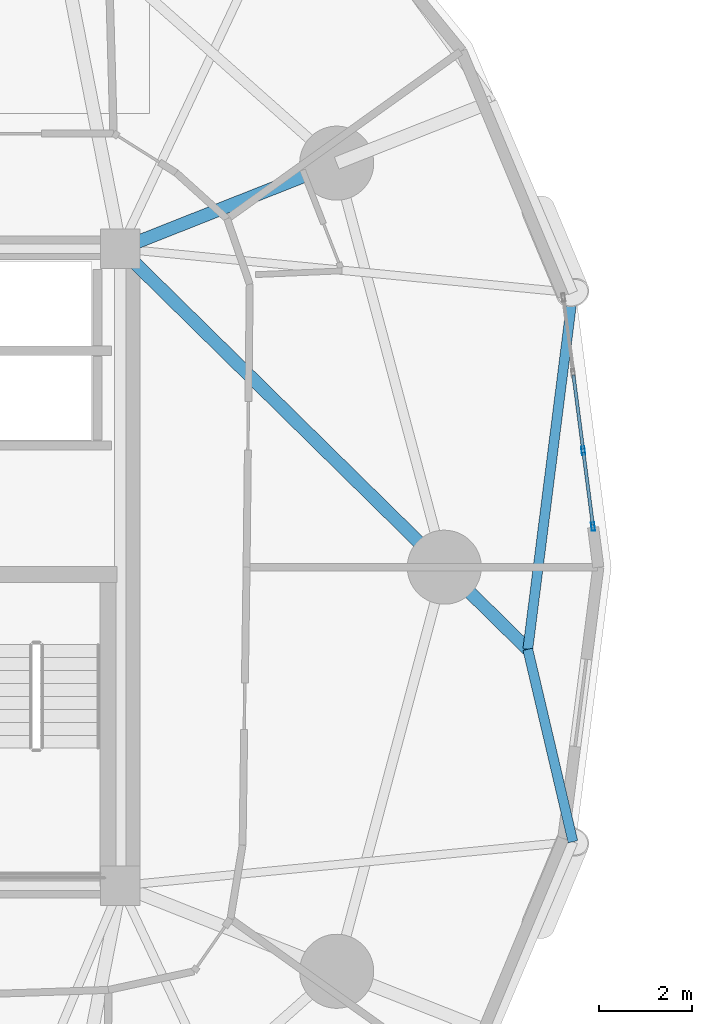
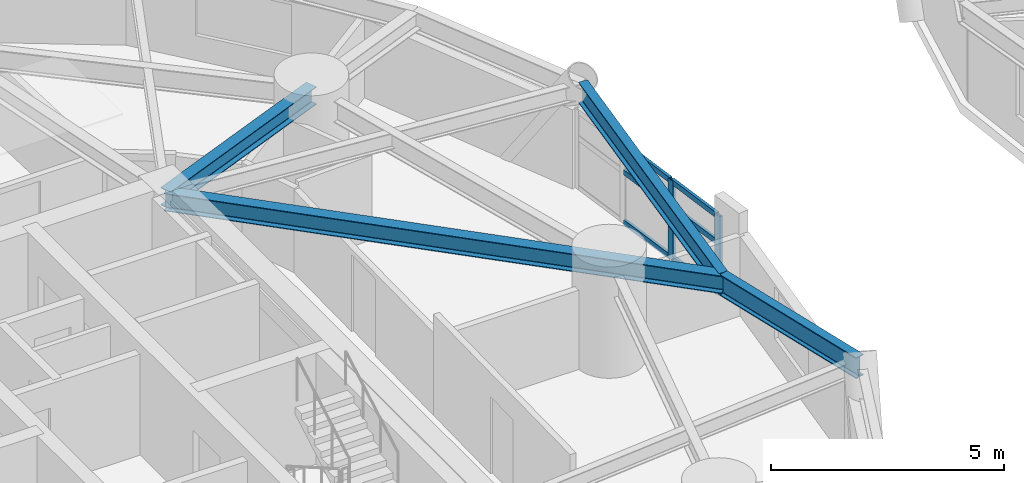
# One storey, part 2 of 18: 8 members, 4 beams, 1 element without a shape of its own.
"""IFC4 building model written with IfcOpenShell, lengths in metres."""

from ifc_helpers import new_model, si_unit, direction, frame, origin, origin_2d, place, context, subcontext, project, spatial, hollow_rectangle, i_section, extrude, material, layer, layer_set, material_profile, profile_set, type_object, element, aggregate, save


model = new_model("IFC4")

# Units and contexts
model_context = context("Model", 3, precision=1e-05, world=origin(), true_north=direction((0.0, 1.0)))
body_context = subcontext(model_context, "Body", "Model", "MODEL_VIEW")
ifc_project = project(units=[si_unit("LENGTHUNIT", "METRE"), si_unit("AREAUNIT", "SQUARE_METRE"), si_unit("VOLUMEUNIT", "CUBIC_METRE"), si_unit("PLANEANGLEUNIT", "RADIAN"), si_unit("MASSUNIT", "GRAM", prefix="KILO")], contexts=[model_context])

# Site, building, storey
site_placement = place(None, origin())
site = spatial("IfcSite", under=ifc_project, at=site_placement, CompositionType="ELEMENT")
building_placement = place(site_placement, origin())
building = spatial("IfcBuilding", under=site, at=building_placement, Name="Cununo Teusaquillo Station Towers", CompositionType="ELEMENT")
storey_placement = place(building_placement, frame((0.0, 0.0, 36.550048828125)))
storey = spatial("IfcBuildingStorey", under=building, at=storey_placement, Name="L10", CompositionType="ELEMENT", Elevation=36.550048828125)

# Beams
ifc_material_1 = material(Name="Steel ASTM A572 Grade 50", Category="steel")
ifc_material_profile_1 = material_profile(ifc_material_1, i_section(OverallWidth=0.280029296875, OverallDepth=0.462890625, WebThickness=0.0107421875, FlangeThickness=0.017333984375, FilletRadius=0.013916015625, at=origin_2d()), Name="W18X76")
ifc_profile_set_1 = profile_set([ifc_material_profile_1], Name="Steel ASTM A572 Grade 50")
beam_type_1 = type_object("IfcBeamType", Name="BM-RAD-G1", PredefinedType="BEAM", material=ifc_profile_set_1)
beam_1_placement = place(storey_placement, frame((21.675048828125, 31.3798828125, 2.41845703125), z_axis=(0.713055489462, -0.701107601548, 0.0), x_axis=(0.701107601548, 0.713055489462, 0.0)))
element("IfcBeam", 1, at=beam_1_placement, inside=storey, type_object=beam_type_1, Name="L10 Tower A Continuous Overhanging Radial Girder 01", PredefinedType="BEAM", context=body_context, shape_type="SweptSolid", body=[
    extrude(i_section(OverallWidth=0.280029296875, OverallDepth=0.462890625, WebThickness=0.0107421875, FlangeThickness=0.017333984375, FilletRadius=0.013916015625, at=origin_2d()), origin(), (0.0, 0.0, 1.0), 12.342041015625),
])
beam_2_placement = place(storey_placement, frame((21.675048828125, 31.3798828125, 2.41845703125), z_axis=(0.929864104313, 0.367903176814, 0.0), x_axis=(-0.367903176814, 0.929864104313, 0.0)))
element("IfcBeam", 2, at=beam_2_placement, inside=storey, type_object=beam_type_1, Name="L10 Tower A Radial Girder 02A", PredefinedType="BEAM", context=body_context, shape_type="SweptSolid", body=[
    extrude(i_section(OverallWidth=0.280029296875, OverallDepth=0.462890625, WebThickness=0.0107421875, FlangeThickness=0.017333984375, FilletRadius=0.013916015625, at=origin_2d()), origin(), (0.0, 0.0, 1.0), 5.02490234375),
])
ifc_material_2 = material(Name="Steel ASTM A572 Grade 50", Category="steel")
ifc_material_profile_2 = material_profile(ifc_material_2, i_section(OverallWidth=0.214111328125, OverallDepth=0.549072265625, WebThickness=0.0146484375, FlangeThickness=0.023681640625, FilletRadius=0.014892578125, at=origin_2d()), Name="W21X93")
ifc_profile_set_2 = profile_set([ifc_material_profile_2], Name="Steel ASTM A572 Grade 50")
beam_type_2 = type_object("IfcBeamType", Name="BM-RING-Z1", PredefinedType="SPANDREL", material=ifc_profile_set_2)
beam_3_placement = place(storey_placement, frame((30.4755859375, 22.726806640625, 2.37548828125), z_axis=(0.125458746224, 0.992098837312, 0.0), x_axis=(-0.992098837312, 0.125458746224, 0.0)))
element("IfcBeam", 3, at=beam_3_placement, inside=storey, type_object=beam_type_2, Name="L10 Tower A Spandrel Ring Beam 01", PredefinedType="SPANDREL", context=body_context, shape_type="SweptSolid", body=[
    extrude(i_section(OverallWidth=0.214111328125, OverallDepth=0.549072265625, WebThickness=0.0146484375, FlangeThickness=0.023681640625, FilletRadius=0.014892578125, at=origin_2d()), origin(), (0.0, 0.0, 1.0), 7.764404296875),
])
beam_4_placement = place(storey_placement, frame((31.44970703125, 18.570068359375, 2.37548828125), z_axis=(-0.228165913287, 0.97362226557, 0.0), x_axis=(-0.97362226557, -0.228165913287, 0.0)))
element("IfcBeam", 4, at=beam_4_placement, inside=storey, type_object=beam_type_2, Name="L10 Tower A Spandrel Ring Beam 20", PredefinedType="SPANDREL", context=body_context, shape_type="SweptSolid", body=[
    extrude(i_section(OverallWidth=0.214111328125, OverallDepth=0.549072265625, WebThickness=0.0146484375, FlangeThickness=0.023681640625, FilletRadius=0.014892578125, at=origin_2d()), origin(), (0.0, 0.0, 1.0), 4.269287109375),
])

# Curtain wall, members
ifc_material_3 = material(Name="Ceramic-fritted dark low-E double glazing", Category="glass")
ifc_layer = layer(ifc_material_3, 0.179931640625)
ifc_layer_set = layer_set([ifc_layer], Name="Ceramic-fritted dark low-E double glazing")
curtain_wall_type = type_object("IfcCurtainWallType", Name="CW-SYS-02", PredefinedType="USERDEFINED", material=ifc_layer_set)
curtain_wall_placement = place(storey_placement, origin())
curtain_wall = element("IfcCurtainWall", 5, at=curtain_wall_placement, inside=storey, type_object=curtain_wall_type, Name="L10 Tower A Facade Curtain Wall C00", ObjectType="FRITTED GLAZING", PredefinedType="USERDEFINED")
ifc_material_4 = material(Name="Anodised dark bronze aluminium EN AW-6063-T6", Category="aluminium")
ifc_material_profile_3 = material_profile(ifc_material_4, hollow_rectangle(XDim=0.070068359375, YDim=0.179931640625, WallThickness=0.00390625, at=origin_2d()), Name="CW-MULL-70x180")
ifc_profile_set_3 = profile_set([ifc_material_profile_3], Name="Anodised dark bronze aluminium EN AW-6063-T6")
member_type_1 = type_object("IfcMemberType", Name="CWM-180", PredefinedType="MULLION", material=ifc_profile_set_3)
member_1_placement = place(storey_placement, frame((31.67333984375, 27.01611328125, 0.0), z_axis=(0.0, 0.0, 1.0), x_axis=(0.991730798481, 0.128335588771, 0.0)))
member_1 = element("IfcMember", 6, at=member_1_placement, type_object=member_type_1, Name="CW-02 mullion 3", PredefinedType="MULLION", context=body_context, shape_type="SweptSolid", body=[
    extrude(hollow_rectangle(XDim=0.070068359375, YDim=0.179931640625, WallThickness=0.00390625, at=origin_2d()), origin(), (0.0, 0.0, 1.0), 2.072998046875),
])
member_2_placement = place(storey_placement, frame((31.885498046875, 25.377685546875, 0.0), z_axis=(0.0, 0.0, 1.0), x_axis=(0.991730798481, 0.128335588771, 0.0)))
member_2 = element("IfcMember", 7, at=member_2_placement, type_object=member_type_1, Name="CW-02 mullion 4", PredefinedType="MULLION", context=body_context, shape_type="SweptSolid", body=[
    extrude(hollow_rectangle(XDim=0.070068359375, YDim=0.179931640625, WallThickness=0.00390625, at=origin_2d()), origin(), (0.0, 0.0, 1.0), 2.072998046875),
])
ifc_material_5 = material(Name="Anodised dark bronze aluminium EN AW-6063-T6", Category="aluminium")
ifc_material_profile_4 = material_profile(ifc_material_5, hollow_rectangle(XDim=0.070068359375, YDim=0.139892578125, WallThickness=0.00390625, at=origin_2d()), Name="CW-TRAN-70x140")
ifc_profile_set_4 = profile_set([ifc_material_profile_4], Name="Anodised dark bronze aluminium EN AW-6063-T6")
member_type_2 = type_object("IfcMemberType", Name="CWT-140", PredefinedType="USERDEFINED", material=ifc_profile_set_4)
member_3_placement = place(storey_placement, frame((31.46142578125, 28.654296875, 0.034912109375), z_axis=(0.128345027476, -0.991729577013, 0.0), x_axis=(0.991729577013, 0.128345027476, 0.0)))
member_3 = element("IfcMember", 8, at=member_3_placement, type_object=member_type_2, Name="CW-02 transom 2.1", ObjectType="TRANSOM", PredefinedType="USERDEFINED", context=body_context, shape_type="SweptSolid", body=[
    extrude(hollow_rectangle(XDim=0.070068359375, YDim=0.139892578125, WallThickness=0.00390625, at=origin_2d()), origin(), (0.0, 0.0, 1.0), 1.616943359375),
])
member_4_placement = place(storey_placement, frame((31.46142578125, 28.654296875, 1.346923828125), z_axis=(0.128345027476, -0.991729577013, 0.0), x_axis=(0.991729577013, 0.128345027476, 0.0)))
member_4 = element("IfcMember", 9, at=member_4_placement, type_object=member_type_2, Name="CW-02 transom 2.2", ObjectType="TRANSOM", PredefinedType="USERDEFINED", context=body_context, shape_type="SweptSolid", body=[
    extrude(hollow_rectangle(XDim=0.070068359375, YDim=0.139892578125, WallThickness=0.00390625, at=origin_2d()), origin(), (0.0, 0.0, 1.0), 1.616943359375),
])
member_5_placement = place(storey_placement, frame((31.46142578125, 28.654296875, 2.037841796875), z_axis=(0.128345027476, -0.991729577013, 0.0), x_axis=(0.991729577013, 0.128345027476, 0.0)))
member_5 = element("IfcMember", 10, at=member_5_placement, type_object=member_type_2, Name="CW-02 transom 2.3", ObjectType="TRANSOM", PredefinedType="USERDEFINED", context=body_context, shape_type="SweptSolid", body=[
    extrude(hollow_rectangle(XDim=0.070068359375, YDim=0.139892578125, WallThickness=0.00390625, at=origin_2d()), origin(), (0.0, 0.0, 1.0), 1.616943359375),
])
member_6_placement = place(storey_placement, frame((31.677978515625, 26.981201171875, 0.034912109375), z_axis=(0.128250458302, -0.991741811131, 0.0), x_axis=(0.991741811131, 0.128250458302, 0.0)))
member_6 = element("IfcMember", 11, at=member_6_placement, type_object=member_type_2, Name="CW-02 transom 3.1", ObjectType="TRANSOM", PredefinedType="USERDEFINED", context=body_context, shape_type="SweptSolid", body=[
    extrude(hollow_rectangle(XDim=0.070068359375, YDim=0.139892578125, WallThickness=0.00390625, at=origin_2d()), origin(), (0.0, 0.0, 1.0), 1.58203125),
])
member_7_placement = place(storey_placement, frame((31.677978515625, 26.981201171875, 1.346923828125), z_axis=(0.128250458302, -0.991741811131, 0.0), x_axis=(0.991741811131, 0.128250458302, 0.0)))
member_7 = element("IfcMember", 12, at=member_7_placement, type_object=member_type_2, Name="CW-02 transom 3.2", ObjectType="TRANSOM", PredefinedType="USERDEFINED", context=body_context, shape_type="SweptSolid", body=[
    extrude(hollow_rectangle(XDim=0.070068359375, YDim=0.139892578125, WallThickness=0.00390625, at=origin_2d()), origin(), (0.0, 0.0, 1.0), 1.58203125),
])
member_8_placement = place(storey_placement, frame((31.677978515625, 26.981201171875, 2.037841796875), z_axis=(0.128250458302, -0.991741811131, 0.0), x_axis=(0.991741811131, 0.128250458302, 0.0)))
member_8 = element("IfcMember", 13, at=member_8_placement, type_object=member_type_2, Name="CW-02 transom 3.3", ObjectType="TRANSOM", PredefinedType="USERDEFINED", context=body_context, shape_type="SweptSolid", body=[
    extrude(hollow_rectangle(XDim=0.070068359375, YDim=0.139892578125, WallThickness=0.00390625, at=origin_2d()), origin(), (0.0, 0.0, 1.0), 1.58203125),
])
aggregate(curtain_wall, [member_1, member_2, member_3, member_4, member_5, member_6, member_7, member_8])

save(model, "model.ifc")
